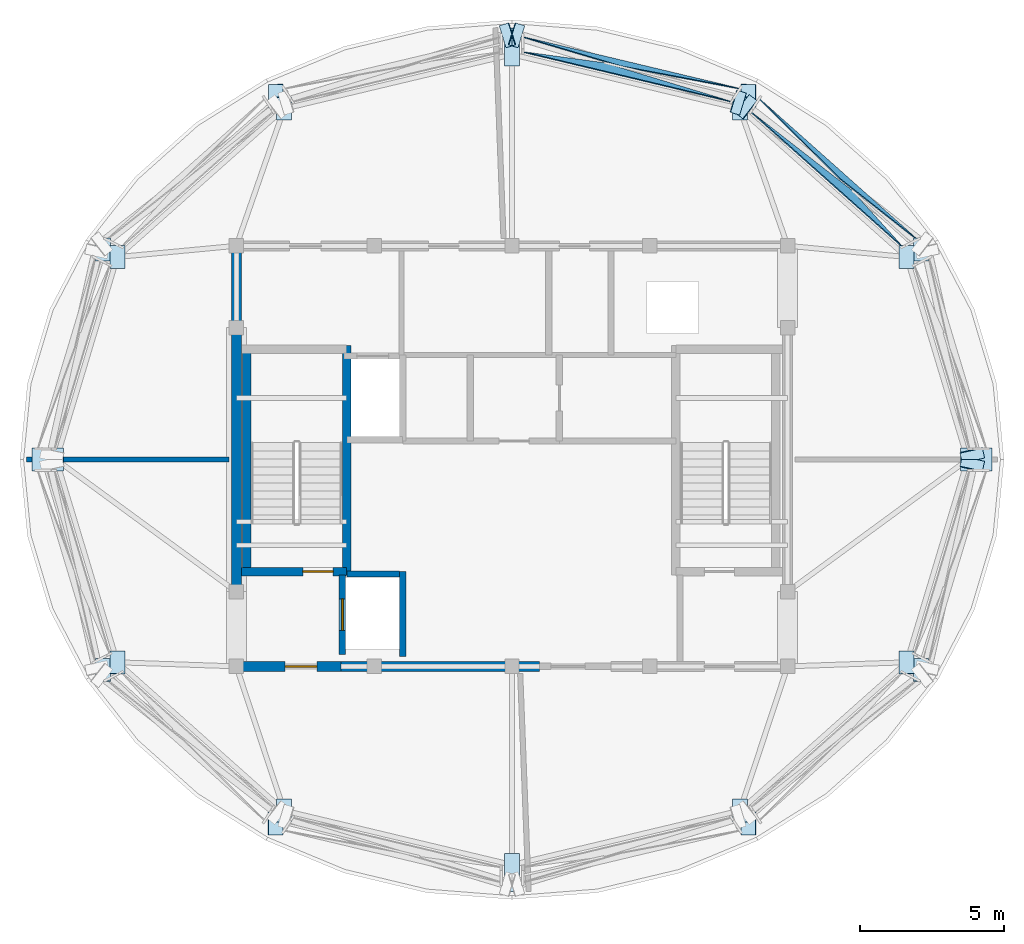
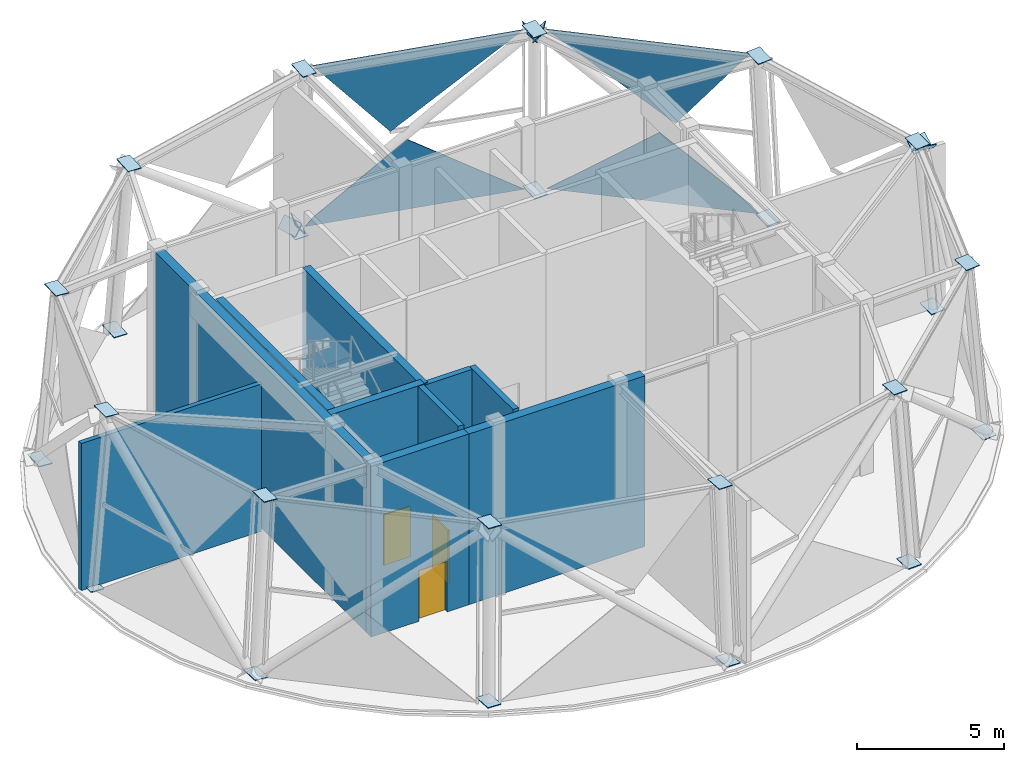
# One storey, part 4 of 9: 34 plates, 10 walls, 3 doors, 3 openings, 2 elements without a shape of their own.
"""IFC4 building model written with IfcOpenShell, lengths in metres."""

from ifc_helpers import new_model, si_unit, direction, frame, frame_2d, origin, place, context, subcontext, project, spatial, polyline, rectangle, outline, extrude, material, layer, layer_set, type_object, element, fill, aggregate, save


model = new_model("IFC4")

# Units and contexts
model_context = context("Model", 3, precision=1e-05, world=origin(), true_north=direction((0.0, 1.0)))
body_context = subcontext(model_context, "Body", "Model", "MODEL_VIEW")
ifc_project = project(units=[si_unit("LENGTHUNIT", "METRE"), si_unit("AREAUNIT", "SQUARE_METRE"), si_unit("VOLUMEUNIT", "CUBIC_METRE"), si_unit("PLANEANGLEUNIT", "RADIAN"), si_unit("MASSUNIT", "GRAM", prefix="KILO")], contexts=[model_context])

# Site, building, storey
site_placement = place(None, origin())
site = spatial("IfcSite", under=ifc_project, at=site_placement, CompositionType="ELEMENT")
building_placement = place(site_placement, origin())
building = spatial("IfcBuilding", under=site, at=building_placement, Name="Vantalir Tower", CompositionType="ELEMENT")
storey_placement = place(building_placement, frame((0.0, 0.0, 311.75)))
storey = spatial("IfcBuildingStorey", under=building, at=storey_placement, Name="L77", CompositionType="ELEMENT", Elevation=311.75)

# Curtain wall, plates
ifc_material_1 = material(Name="Champagne-silver PVDF aluminium and double-silver Low-E glass", Category="aluminium")
ifc_layer_1 = layer(ifc_material_1, 0.25)
ifc_layer_set_1 = layer_set([ifc_layer_1], Name="Champagne-silver PVDF aluminium and double-silver Low-E glass")
curtain_wall_type = type_object("IfcCurtainWallType", Name="CW-CROWN-PT", PredefinedType="USERDEFINED", material=ifc_layer_set_1)
curtain_wall_1_placement = place(storey_placement, origin())
curtain_wall_1 = element("IfcCurtainWall", 1, at=curtain_wall_1_placement, inside=storey, type_object=curtain_wall_type, Name="L77 Quilted Pyramid-Diamond Curtain Wall S02", ObjectType="UNITISED CURTAIN WALL", PredefinedType="USERDEFINED")
ifc_material_2 = material(Name="Faceted crown Low-E glass IGU", Category="glass")
ifc_layer_2 = layer(ifc_material_2, 0.033935546875)
ifc_layer_set_2 = layer_set([ifc_layer_2], Name="Faceted crown Low-E glass IGU")
plate_type_1 = type_object("IfcPlateType", Name="CWP-IGU-CRN-34", PredefinedType="CURTAIN_PANEL", material=ifc_layer_set_2)
plate_1_placement = place(storey_placement, frame((45.619873046875, 32.68359375, 0.0498046875), z_axis=(0.663450955963, 0.744983318847, 0.069517506222), x_axis=(-0.746786903312, 0.665063392896, -6.6872084e-05)))
plate_1 = element("IfcPlate", 2, at=plate_1_placement, type_object=plate_type_1, Name="CW-L77-S02 Pyramid Diamond Facet 1L", PredefinedType="CURTAIN_PANEL", context=body_context, shape_type="SweptSolid", body=[
    extrude(outline(polyline([(0.0, 0.0), (7.352833040974875, 9.269928574751063e-18), (3.4115012203229305, 3.037116756814802), (0.2999169951603921, 0.36784992590931226), (0.0, 0.0)])), origin(), (0.0, 0.0, -1.0), 0.033935546875),
])
plate_2_placement = place(storey_placement, frame((39.835205078125, 37.120361328125, 7.020751953125), z_axis=(0.662652228857, 0.744317276693, 0.082968760428), x_axis=(0.746898185488, -0.664938410508, -0.000103659075)))
plate_2 = element("IfcPlate", 3, at=plate_2_placement, type_object=plate_type_1, Name="CW-L77-S02 Pyramid Diamond Facet 2U", PredefinedType="CURTAIN_PANEL", context=body_context, shape_type="SweptSolid", body=[
    extrude(outline(polyline([(0.0, 0.0), (7.065680239333695, -8.46761896711179e-17), (4.432752204269656, 3.482739899824792), (0.0, 0.0)])), origin(), (0.0, 0.0, -1.0), 0.033935546875),
])
aggregate(curtain_wall_1, [plate_1, plate_2])

curtain_wall_2_placement = place(storey_placement, origin())
curtain_wall_2 = element("IfcCurtainWall", 4, at=curtain_wall_2_placement, inside=storey, type_object=curtain_wall_type, Name="L77 Quilted Pyramid-Diamond Curtain Wall S03", ObjectType="UNITISED CURTAIN WALL", PredefinedType="USERDEFINED")
plate_3_placement = place(storey_placement, frame((39.43359375, 37.9365234375, 0.049072265625), z_axis=(0.231601564441, 0.970572575754, 0.065951425627), x_axis=(-0.972691247436, 0.232102850467, 6.2973711e-05)))
plate_3 = element("IfcPlate", 5, at=plate_3_placement, type_object=plate_type_1, Name="CW-L77-S03 Pyramid Diamond Facet 1L", PredefinedType="CURTAIN_PANEL", context=body_context, shape_type="SweptSolid", body=[
    extrude(outline(polyline([(0.0, 0.0), (7.752231445852116, -1.8214596497756474e-17), (7.4635189955299674, 0.3406035767227069), (4.198168979634575, 3.0407796453364395), (0.0, 0.0)])), origin(), (0.0, 0.0, -1.0), 0.033935546875),
])
plate_4_placement = place(storey_placement, frame((31.893310546875, 39.212646484375, 7.020263671875), z_axis=(0.231408024372, 0.969590749741, 0.079649885581), x_axis=(0.972679835992, -0.232150667368, 6.5542255e-05)))
plate_4 = element("IfcPlate", 6, at=plate_4_placement, type_object=plate_type_1, Name="CW-L77-S03 Pyramid Diamond Facet 2U", PredefinedType="CURTAIN_PANEL", context=body_context, shape_type="SweptSolid", body=[
    extrude(outline(polyline([(0.0, 0.0), (7.449869548532356, -3.74049749507499e-18), (2.827586283544119, 3.4819509622078564), (0.0, 0.0)])), origin(), (0.0, 0.0, -1.0), 0.033935546875),
])
aggregate(curtain_wall_2, [plate_3, plate_4])

# Plates
ifc_material_3 = material(Name="Steel S460", Category="steel")
ifc_layer_3 = layer(ifc_material_3, 0.031982421875)
ifc_layer_set_3 = layer_set([ifc_layer_3], Name="Steel S460")
plate_type_2 = type_object("IfcPlateType", Name="PLT-KN-Z3", PredefinedType="USERDEFINED", material=ifc_layer_set_3)
plate_5_placement = place(storey_placement, frame((47.114990234375, 25.39990234375, 7.072509765625), z_axis=(-0.082656805175, 0.0, 0.996578071482), x_axis=(0.0, -1.0, 0.0)))
element("IfcPlate", 7, at=plate_5_placement, inside=storey, type_object=plate_type_2, Name="L77 Ring Column Top Cap RC01", ObjectType="FLANGE_PLATE", PredefinedType="USERDEFINED", context=body_context, shape_type="SweptSolid", body=[
    extrude(outline(polyline([(0.0, 0.0), (0.7998046875, 0.0), (0.7998046875, 0.5198452796374634), (0.0, 0.5198452796374634), (0.0, 0.0)])), origin(), (0.0, 0.0, -1.0), 0.031982421875),
])
plate_6_placement = place(storey_placement, frame((47.699462890625, 25.39990234375, 0.03125), z_axis=(-0.082618137027, 0.0, 0.996581277887), x_axis=(0.0, -1.0, 0.0)))
element("IfcPlate", 8, at=plate_6_placement, inside=storey, type_object=plate_type_2, Name="L77 Ring Column Base Cap RC01", ObjectType="FLANGE_PLATE", PredefinedType="USERDEFINED", context=body_context, shape_type="SweptSolid", body=[
    extrude(outline(polyline([(0.0, 0.0), (0.7998046875, 0.0), (0.7998046875, 0.5200885852221947), (0.0, 0.5200885852221947), (0.0, 0.0)])), origin(), (0.0, 0.0, -1.0), 0.031982421875),
])
plate_7_placement = place(storey_placement, frame((44.988037109375, 32.45751953125, 7.090087890625), z_axis=(-0.071660426999, -0.036984057449, 0.996743177903), x_axis=(1.1301806e-05, -0.999312353186, -0.037078573906)))
element("IfcPlate", 9, at=plate_7_placement, inside=storey, type_object=plate_type_2, Name="L77 Ring Column Top Cap RC02", ObjectType="FLANGE_PLATE", PredefinedType="USERDEFINED", context=body_context, shape_type="SweptSolid", body=[
    extrude(outline(polyline([(0.0, 0.0), (0.8001060703431415, 0.0), (0.799955831956375, 0.5198822186441832), (8.4681969503071e-05, 0.5199003478847501), (0.0, 0.0)])), origin(), (0.0, 0.0, -1.0), 0.031982421875),
])
plate_8_placement = place(storey_placement, frame((45.493896484375, 32.718505859375, 0.049072265625), z_axis=(-0.071660426999, -0.036984057449, 0.996743177903), x_axis=(-1.0492989e-05, -0.999312295134, -0.037080138679)))
element("IfcPlate", 10, at=plate_8_placement, inside=storey, type_object=plate_type_2, Name="L77 Ring Column Base Cap RC02", ObjectType="FLANGE_PLATE", PredefinedType="USERDEFINED", context=body_context, shape_type="SweptSolid", body=[
    extrude(outline(polyline([(0.0, 0.0), (0.8001151229203625, 0.0), (0.7999444718337254, 0.5198996983323576), (8.237440989943695e-05, 0.5198828665158743), (0.0, 0.0)])), origin(), (0.0, 0.0, -1.0), 0.031982421875),
])
plate_9_placement = place(storey_placement, frame((39.17724609375, 37.623291015625, 7.10888671875), z_axis=(-0.041398492183, -0.064023471105, 0.997089344037), x_axis=(-4.04438e-07, -0.997944866175, -0.064078421286)))
element("IfcPlate", 11, at=plate_9_placement, inside=storey, type_object=plate_type_2, Name="L77 Ring Column Top Cap RC03", ObjectType="FLANGE_PLATE", PredefinedType="USERDEFINED", context=body_context, shape_type="SweptSolid", body=[
    extrude(outline(polyline([(0.0, 0.0), (0.7999844191559541, 0.0), (0.8000693575053728, 0.5199773423787926), (-0.00015870053392472877, 0.5199766946362916), (0.0, 0.0)])), origin(), (0.0, 0.0, -1.0), 0.031982421875),
])
plate_10_placement = place(storey_placement, frame((39.469970703125, 38.075439453125, 0.067626953125), z_axis=(-0.041881250253, -0.064031931003, 0.997068639909), x_axis=(0.0, -0.997944240657, -0.064088162244)))
element("IfcPlate", 12, at=plate_10_placement, inside=storey, type_object=plate_type_2, Name="L77 Ring Column Base Cap RC03", ObjectType="FLANGE_PLATE", PredefinedType="USERDEFINED", context=body_context, shape_type="SweptSolid", body=[
    extrude(outline(polyline([(0.0, 0.0), (0.7999844191941299, 4.336808689942018e-19), (0.8000537109432078, 0.5199874893530553), (6.929174907800489e-05, 0.5199874893530554), (0.0, 0.0)])), origin(), (0.0, 0.0, -1.0), 0.031982421875),
])
plate_11_placement = place(storey_placement, frame((31.239990234375, 39.51318359375, 7.12353515625), z_axis=(0.0, -0.073849204258, 0.99726941948), x_axis=(0.0, -0.99726941948, -0.073849204258)))
element("IfcPlate", 13, at=plate_11_placement, inside=storey, type_object=plate_type_2, Name="L77 Ring Column Top Cap RC04", ObjectType="FLANGE_PLATE", PredefinedType="USERDEFINED", context=body_context, shape_type="SweptSolid", body=[
    extrude(outline(polyline([(0.0, 0.0), (0.8000361255595384, 0.0), (0.8000361255595384, 0.52001953125), (0.0, 0.52001953125), (0.0, 0.0)])), origin(), (0.0, 0.0, -1.0), 0.031982421875),
])
plate_12_placement = place(storey_placement, frame((31.239990234375, 40.034912109375, 0.08251953125), z_axis=(0.0, -0.074152691722, 0.997246899374), x_axis=(0.0, -0.997246899374, -0.074152691722)))
element("IfcPlate", 14, at=plate_12_placement, inside=storey, type_object=plate_type_2, Name="L77 Ring Column Base Cap RC04", ObjectType="FLANGE_PLATE", PredefinedType="USERDEFINED", context=body_context, shape_type="SweptSolid", body=[
    extrude(outline(polyline([(0.0, 0.0), (0.8000541921976495, 0.0), (0.8000541921976495, 0.52001953125), (0.0, 0.52001953125), (0.0, 0.0)])), origin(), (0.0, 0.0, -1.0), 0.031982421875),
])
plate_13_placement = place(storey_placement, frame((23.30322265625, 37.6220703125, 7.13037109375), z_axis=(0.041398492183, -0.064023471105, 0.997089344037), x_axis=(-4.04315e-07, -0.997944868322, -0.064078387845)))
element("IfcPlate", 15, at=plate_13_placement, inside=storey, type_object=plate_type_2, Name="L77 Ring Column Top Cap RC05", ObjectType="FLANGE_PLATE", PredefinedType="USERDEFINED", context=body_context, shape_type="SweptSolid", body=[
    extrude(outline(polyline([(0.0, 0.0), (0.8002280580395598, -4.336808689942018e-19), (0.8001426987958461, 0.519977342309869), (0.00015827964015417174, 0.519976694764581), (0.0, 0.0)])), origin(), (0.0, 0.0, -1.0), 0.031982421875),
])
plate_14_placement = place(storey_placement, frame((23.011474609375, 38.073974609375, 0.089111328125), z_axis=(0.040945744704, -0.064034416075, 0.997107336022), x_axis=(0.0, -0.997944240657, -0.064088162244)))
element("IfcPlate", 16, at=plate_14_placement, inside=storey, type_object=plate_type_2, Name="L77 Ring Column Base Cap RC05", ObjectType="FLANGE_PLATE", PredefinedType="USERDEFINED", context=body_context, shape_type="SweptSolid", body=[
    extrude(outline(polyline([(0.0, 0.0), (0.7999844191941299, -4.336808689942018e-19), (0.7998838343970811, 0.5199673094847194), (-0.00010058479704871687, 0.5199673094847194), (0.0, 0.0)])), origin(), (0.0, 0.0, -1.0), 0.031982421875),
])
plate_15_placement = place(storey_placement, frame((17.493408203125, 32.4560546875, 7.12744140625), z_axis=(0.071660426999, -0.036984057449, 0.996743177903), x_axis=(1.1305125e-05, -0.999312292961, -0.037080196987)))
element("IfcPlate", 17, at=plate_15_placement, inside=storey, type_object=plate_type_2, Name="L77 Ring Column Top Cap RC06", ObjectType="FLANGE_PLATE", PredefinedType="USERDEFINED", context=body_context, shape_type="SweptSolid", body=[
    extrude(outline(polyline([(0.0, 0.0), (0.7998711501923234, 0.0), (0.800033171814146, 0.5198822151054652), (-7.289832348361539e-05, 0.5199003496705445), (0.0, 0.0)])), origin(), (0.0, 0.0, -1.0), 0.031982421875),
])
plate_16_placement = place(storey_placement, frame((16.987548828125, 32.717041015625, 0.086181640625), z_axis=(0.071660426999, -0.036984057449, 0.996743177903), x_axis=(-1.0496308e-05, -0.999312351049, -0.037078631737)))
element("IfcPlate", 18, at=plate_16_placement, inside=storey, type_object=plate_type_2, Name="L77 Ring Column Base Cap RC06", ObjectType="FLANGE_PLATE", PredefinedType="USERDEFINED", context=body_context, shape_type="SweptSolid", body=[
    extrude(outline(polyline([(0.0, 0.0), (0.7998620976009252, -4.336808689942018e-19), (0.8000218082312404, 0.5198997018083241), (-9.331451196657433e-05, 0.5198828646673282), (0.0, 0.0)])), origin(), (0.0, 0.0, -1.0), 0.031982421875),
])
plate_17_placement = place(storey_placement, frame((15.366943359375, 25.39990234375, 7.115478515625), z_axis=(0.082656805175, 0.0, 0.996578071482), x_axis=(0.0, -1.0, 0.0)))
element("IfcPlate", 19, at=plate_17_placement, inside=storey, type_object=plate_type_2, Name="L77 Ring Column Top Cap RC07", ObjectType="FLANGE_PLATE", PredefinedType="USERDEFINED", context=body_context, shape_type="SweptSolid", body=[
    extrude(outline(polyline([(0.0, 0.0), (0.7998046875, 0.0), (0.7998046875, 0.5198452796374634), (0.0, 0.5198452796374634), (0.0, 0.0)])), origin(), (0.0, 0.0, -1.0), 0.031982421875),
])
plate_18_placement = place(storey_placement, frame((14.7822265625, 25.39990234375, 0.07421875), z_axis=(0.082618137027, 0.0, 0.996581277887), x_axis=(0.0, -1.0, 0.0)))
element("IfcPlate", 20, at=plate_18_placement, inside=storey, type_object=plate_type_2, Name="L77 Ring Column Base Cap RC07", ObjectType="FLANGE_PLATE", PredefinedType="USERDEFINED", context=body_context, shape_type="SweptSolid", body=[
    extrude(outline(polyline([(0.0, 0.0), (0.7998046875, 0.0), (0.7998046875, 0.5200885852221947), (0.0, 0.5200885852221947), (0.0, 0.0)])), origin(), (0.0, 0.0, -1.0), 0.031982421875),
])
plate_19_placement = place(storey_placement, frame((17.493408203125, 18.34326171875, 7.09765625), z_axis=(0.071660426999, 0.036984057449, 0.996743177903), x_axis=(-1.1305125e-05, -0.999312292961, 0.037080196987)))
element("IfcPlate", 21, at=plate_19_placement, inside=storey, type_object=plate_type_2, Name="L77 Ring Column Top Cap RC08", ObjectType="FLANGE_PLATE", PredefinedType="USERDEFINED", context=body_context, shape_type="SweptSolid", body=[
    extrude(outline(polyline([(0.0, 0.0), (0.7998711501923234, 0.0), (0.799944048515807, 0.5199003496705447), (-0.00016202162182263726, 0.5198822151054651), (0.0, 0.0)])), origin(), (0.0, 0.0, -1.0), 0.031982421875),
])
plate_20_placement = place(storey_placement, frame((16.987548828125, 18.082275390625, 0.056640625), z_axis=(0.071660426999, 0.036984057449, 0.996743177903), x_axis=(1.0496308e-05, -0.999312351049, 0.037078631737)))
element("IfcPlate", 22, at=plate_20_placement, inside=storey, type_object=plate_type_2, Name="L77 Ring Column Base Cap RC08", ObjectType="FLANGE_PLATE", PredefinedType="USERDEFINED", context=body_context, shape_type="SweptSolid", body=[
    extrude(outline(polyline([(0.0, 0.0), (0.7998620976009252, 4.336808689942018e-19), (0.7999554121128919, 0.5198828646673284), (-0.00015971063031517763, 0.519899701808324), (0.0, 0.0)])), origin(), (0.0, 0.0, -1.0), 0.031982421875),
])
plate_21_placement = place(storey_placement, frame((23.30322265625, 13.176513671875, 7.0791015625), z_axis=(0.041398492183, 0.064023471105, 0.997089344037), x_axis=(4.04315e-07, -0.997944868322, 0.064078387845)))
element("IfcPlate", 23, at=plate_21_placement, inside=storey, type_object=plate_type_2, Name="L77 Ring Column Top Cap RC09", ObjectType="FLANGE_PLATE", PredefinedType="USERDEFINED", context=body_context, shape_type="SweptSolid", body=[
    extrude(outline(polyline([(0.0, 0.0), (0.8002280580395598, 4.336808689942018e-19), (0.8000697783994056, 0.5199766947645809), (8.535924371360715e-05, 0.519977342309869), (0.0, 0.0)])), origin(), (0.0, 0.0, -1.0), 0.031982421875),
])
plate_22_placement = place(storey_placement, frame((23.010498046875, 12.724365234375, 0.0380859375), z_axis=(0.041881250253, 0.064031931003, 0.997068639909), x_axis=(0.0, -0.997944240657, 0.064088162244)))
element("IfcPlate", 24, at=plate_22_placement, inside=storey, type_object=plate_type_2, Name="L77 Ring Column Base Cap RC09", ObjectType="FLANGE_PLATE", PredefinedType="USERDEFINED", context=body_context, shape_type="SweptSolid", body=[
    extrude(outline(polyline([(0.0, 0.0), (0.7999844191941299, 4.336808689942018e-19), (0.8000537109432078, 0.5199874893530553), (6.929174907800489e-05, 0.5199874893530554), (0.0, 0.0)])), origin(), (0.0, 0.0, -1.0), 0.031982421875),
])
plate_23_placement = place(storey_placement, frame((31.239990234375, 11.28466796875, 7.064453125), z_axis=(0.0, 0.073849204258, 0.99726941948), x_axis=(0.0, -0.99726941948, 0.073849204258)))
element("IfcPlate", 25, at=plate_23_placement, inside=storey, type_object=plate_type_2, Name="L77 Ring Column Top Cap RC10", ObjectType="FLANGE_PLATE", PredefinedType="USERDEFINED", context=body_context, shape_type="SweptSolid", body=[
    extrude(outline(polyline([(0.0, 0.0), (0.8000361255595384, 0.0), (0.8000361255595384, 0.52001953125), (0.0, 0.52001953125), (0.0, 0.0)])), origin(), (0.0, 0.0, -1.0), 0.031982421875),
])
plate_24_placement = place(storey_placement, frame((31.239990234375, 10.762939453125, 0.023193359375), z_axis=(0.0, 0.074152691722, 0.997246899374), x_axis=(0.0, -0.997246899374, 0.074152691722)))
element("IfcPlate", 26, at=plate_24_placement, inside=storey, type_object=plate_type_2, Name="L77 Ring Column Base Cap RC10", ObjectType="FLANGE_PLATE", PredefinedType="USERDEFINED", context=body_context, shape_type="SweptSolid", body=[
    extrude(outline(polyline([(0.0, 0.0), (0.8000541921976495, 0.0), (0.8000541921976495, 0.52001953125), (0.0, 0.52001953125), (0.0, 0.0)])), origin(), (0.0, 0.0, -1.0), 0.031982421875),
])
plate_25_placement = place(storey_placement, frame((39.17724609375, 13.175048828125, 7.0576171875), z_axis=(-0.041398492183, 0.064023471105, 0.997089344037), x_axis=(4.04438e-07, -0.997944866175, 0.064078421286)))
element("IfcPlate", 27, at=plate_25_placement, inside=storey, type_object=plate_type_2, Name="L77 Ring Column Top Cap RC11", ObjectType="FLANGE_PLATE", PredefinedType="USERDEFINED", context=body_context, shape_type="SweptSolid", body=[
    extrude(outline(polyline([(0.0, 0.0), (0.7999844191559541, 0.0), (0.8001431196898788, 0.5199766946362916), (-8.493834941881648e-05, 0.5199773423787925), (0.0, 0.0)])), origin(), (0.0, 0.0, -1.0), 0.031982421875),
])
plate_26_placement = place(storey_placement, frame((39.469970703125, 12.722900390625, 0.016357421875), z_axis=(-0.041881250253, 0.064031931003, 0.997068639909), x_axis=(0.0, -0.997944240657, 0.064088162244)))
element("IfcPlate", 28, at=plate_26_placement, inside=storey, type_object=plate_type_2, Name="L77 Ring Column Base Cap RC11", ObjectType="FLANGE_PLATE", PredefinedType="USERDEFINED", context=body_context, shape_type="SweptSolid", body=[
    extrude(outline(polyline([(0.0, 0.0), (0.7999844191941299, -4.336808689942018e-19), (0.7999151274450518, 0.5199874893530553), (-6.929174907800489e-05, 0.5199874893530554), (0.0, 0.0)])), origin(), (0.0, 0.0, -1.0), 0.031982421875),
])
plate_27_placement = place(storey_placement, frame((44.988037109375, 18.342041015625, 7.060546875), z_axis=(-0.071660426999, 0.036984057449, 0.996743177903), x_axis=(-1.1301806e-05, -0.999312353186, 0.037078573906)))
element("IfcPlate", 29, at=plate_27_placement, inside=storey, type_object=plate_type_2, Name="L77 Ring Column Top Cap RC12", ObjectType="FLANGE_PLATE", PredefinedType="USERDEFINED", context=body_context, shape_type="SweptSolid", body=[
    extrude(outline(polyline([(0.0, 0.0), (0.8001060703431415, 0.0), (0.8000213883736383, 0.51990034788475), (0.00015023838676640755, 0.5198822186441832), (0.0, 0.0)])), origin(), (0.0, 0.0, -1.0), 0.031982421875),
])
plate_28_placement = place(storey_placement, frame((45.493896484375, 18.0810546875, 0.019287109375), z_axis=(-0.071660426999, 0.036984057449, 0.996743177903), x_axis=(1.0492989e-05, -0.999312295134, 0.037080138679)))
element("IfcPlate", 30, at=plate_28_placement, inside=storey, type_object=plate_type_2, Name="L77 Ring Column Base Cap RC12", ObjectType="FLANGE_PLATE", PredefinedType="USERDEFINED", context=body_context, shape_type="SweptSolid", body=[
    extrude(outline(polyline([(0.0, 0.0), (0.8001151229203625, 0.0), (0.800032748510463, 0.5198828665158743), (0.0001706510866369517, 0.5198996983323575), (0.0, 0.0)])), origin(), (0.0, 0.0, -1.0), 0.031982421875),
])
plate_29_placement = place(storey_placement, frame((39.76318359375, 37.716796875, 6.6650390625), z_axis=(-0.600158719192, 0.467267260388, 0.649207839715), x_axis=(-0.614300233876, -0.789072379771, 4.6283455e-05)))
element("IfcPlate", 31, at=plate_29_placement, inside=storey, type_object=plate_type_2, Name="Node Cap Plate MEM-DG-L77-R04L End", ObjectType="FLANGE_PLATE", PredefinedType="USERDEFINED", context=body_context, shape_type="SweptSolid", body=[
    extrude(outline(polyline([(0.0, 0.0), (0.8000799670118719, -5.551115123125783e-17), (0.8000301316760322, 0.5199382537937726), (0.0001428092881279382, 0.5200356123754015), (0.0, 0.0)])), origin(), (0.0, 0.0, -1.0), 0.031982421875),
])
plate_30_placement = place(storey_placement, frame((47.181884765625, 24.884033203125, 6.665771484375), z_axis=(0.160181474395, -0.722227676658, 0.672851453391), x_axis=(0.976262128261, 0.216592362342, 7.4149406e-05)))
element("IfcPlate", 32, at=plate_30_placement, inside=storey, type_object=plate_type_2, Name="Node Cap Plate MEM-DG-L77-R04R End", ObjectType="FLANGE_PLATE", PredefinedType="USERDEFINED", context=body_context, shape_type="SweptSolid", body=[
    extrude(outline(polyline([(0.0, 0.0), (0.8000105287036665, -2.7755575615628914e-17), (0.8001297461400069, 0.5200296538834696), (0.00017209643105269544, 0.5201900219290091), (0.0, 0.0)])), origin(), (0.0, 0.0, -1.0), 0.031982421875),
])
plate_31_placement = place(storey_placement, frame((31.05712890625, 40.113525390625, 0.024169921875), z_axis=(-0.738683729323, -0.224550428722, 0.635549725037), x_axis=(0.290845849955, -0.956769926139, 0.0)))
element("IfcPlate", 33, at=plate_31_placement, inside=storey, type_object=plate_type_2, Name="Node Cap Plate MEM-DG-L77-R10L Start", ObjectType="FLANGE_PLATE", PredefinedType="USERDEFINED", context=body_context, shape_type="SweptSolid", body=[
    extrude(outline(polyline([(0.0, 0.0), (0.79996333336249, 0.0), (0.8001183125421127, 0.5198653213751403), (0.00015497917962277452, 0.5198653213751402), (0.0, 0.0)])), origin(), (0.0, 0.0, -1.0), 0.031982421875),
])
plate_32_placement = place(storey_placement, frame((31.710205078125, 39.34814453125, 0.024169921875), z_axis=(0.738683729323, -0.224550428722, 0.635549725037), x_axis=(0.290845849955, 0.956769926139, 0.0)))
element("IfcPlate", 34, at=plate_32_placement, inside=storey, type_object=plate_type_2, Name="Node Cap Plate MEM-DG-L77-R10R Start", ObjectType="FLANGE_PLATE", PredefinedType="USERDEFINED", context=body_context, shape_type="SweptSolid", body=[
    extrude(outline(polyline([(0.0, 0.0), (0.79996333336249, 0.0), (0.7998083541828673, 0.5198653213751402), (-0.00015497917962277452, 0.5198653213751402), (0.0, 0.0)])), origin(), (0.0, 0.0, -1.0), 0.031982421875),
])
plate_33_placement = place(storey_placement, frame((39.429931640625, 37.002197265625, 6.664794921875), z_axis=(0.738619606851, -0.224530936309, 0.635631131251), x_axis=(0.290845849955, 0.956769926139, 0.0)))
element("IfcPlate", 35, at=plate_33_placement, inside=storey, type_object=plate_type_2, Name="Node Cap Plate MEM-DG-L77-R10R End", ObjectType="FLANGE_PLATE", PredefinedType="USERDEFINED", context=body_context, shape_type="SweptSolid", body=[
    extrude(outline(polyline([(0.0, 0.0), (0.79996333336249, 2.7755575615628914e-17), (0.8000419405906161, 0.5199104529275843), (7.860722812594992e-05, 0.5199104529275843), (0.0, 0.0)])), origin(), (0.0, 0.0, -1.0), 0.031982421875),
])
plate_34_placement = place(storey_placement, frame((47.962890625, 24.942626953125, 6.665771484375), z_axis=(0.160181474395, 0.722227676658, 0.672851453391), x_axis=(-0.976262128261, 0.216592362342, -7.4149406e-05)))
element("IfcPlate", 36, at=plate_34_placement, inside=storey, type_object=plate_type_2, Name="Node Cap Plate MEM-DG-L77-R34L End", ObjectType="FLANGE_PLATE", PredefinedType="USERDEFINED", context=body_context, shape_type="SweptSolid", body=[
    extrude(outline(polyline([(0.0, 0.0), (0.8000105287036665, 2.7755575615628914e-17), (0.7998384322726139, 0.5201900219290092), (-0.00011921743634029344, 0.5200296538834696), (0.0, 0.0)])), origin(), (0.0, 0.0, -1.0), 0.031982421875),
])

# Wall, opening, door
ifc_material_4 = material(Name="Concrete C50/60", Category="concrete")
ifc_layer_4 = layer(ifc_material_4, 0.35009765625)
ifc_layer_set_4 = layer_set([ifc_layer_4], Name="Concrete C50/60")
wall_type_1 = type_object("IfcWallType", Name="WL-CORE-350", PredefinedType="SHEAR", material=ifc_layer_set_4)
wall_1_placement = place(storey_placement, frame((21.72509765625, 17.800048828125, 0.0), z_axis=(0.0, 0.0, 1.0), x_axis=(1.0, 0.0, 0.0)))
wall_1 = element("IfcWall", 37, at=wall_1_placement, inside=storey, type_object=wall_type_1, Name="L77 Core Shear Wall South-West", PredefinedType="SHEAR", context=body_context, shape_type="SweptSolid", body=[
    extrude(rectangle(XDim=3.824951171875, YDim=0.35009765625, at=frame_2d((1.91259765625, 0.0))), origin(), (0.0, 0.0, 1.0), 7.070068359375),
])
opening_1_placement = place(wall_1_placement, frame((1.875, 0.0, 0.0)))
opening_1 = element("IfcOpeningElement", 38, at=opening_1_placement, cuts=wall_1, Name="Opening D-FFL", PredefinedType="OPENING", context=body_context, shape_type="SweptSolid", body=[
    extrude(rectangle(XDim=1.10009765625, YDim=2.10009765625, at=frame_2d((0.550048828125, 1.050048828125))), frame((0.0, 0.18505859375, 0.0), z_axis=(0.0, -1.0, 0.0), x_axis=(1.0, 0.0, 0.0)), (0.0, 0.0, 1.0), 0.3701171875),
])
ifc_material_5 = material(Name="Fire-rated acoustic steel door", Category="steel")
door_type_1 = type_object("IfcDoorType", Name="DR-FIRE-LOBBY-1100", OperationType="NOTDEFINED", PredefinedType="DOOR", material=ifc_material_5)
door_1_placement = place(opening_1_placement, origin())
door_1 = element("IfcDoor", 39, at=door_1_placement, inside=storey, type_object=door_type_1, Name="L77 Firefighting Lobby West Access Door", OperationType="SINGLE_SWING_RIGHT", OverallHeight=2.10009765625, OverallWidth=1.10009765625, PredefinedType="DOOR", context=body_context, shape_type="SweptSolid", body=[
    extrude(rectangle(XDim=1.10009765625, YDim=2.10009765625, at=frame_2d((0.550048828125, 1.050048828125))), frame((0.0, 0.02490234375, 0.0), z_axis=(0.0, -1.0, 0.0), x_axis=(1.0, 0.0, 0.0)), (0.0, 0.0, 1.0), 0.050048828125),
])
fill(opening_1, door_1)

# Walls
wall_2_placement = place(storey_placement, frame((25.550048828125, 17.800048828125, 0.0), z_axis=(0.0, 0.0, 1.0), x_axis=(1.0, 0.0, 0.0)))
element("IfcWall", 40, at=wall_2_placement, inside=storey, type_object=wall_type_1, Name="L77 Core Shear Wall South-Mid", PredefinedType="SHEAR", context=body_context, shape_type="SweptSolid", body=[
    extrude(rectangle(XDim=6.89990234375, YDim=0.35009765625, at=frame_2d((3.449951171875, 0.0))), origin(), (0.0, 0.0, 1.0), 7.070068359375),
])
wall_3_placement = place(storey_placement, frame((21.89990234375, 17.97509765625, 0.0), z_axis=(0.0, 0.0, 1.0), x_axis=(0.0, 1.0, 0.0)))
element("IfcWall", 41, at=wall_3_placement, inside=storey, type_object=wall_type_1, Name="L77 Core Shear Wall West", PredefinedType="SHEAR", context=body_context, shape_type="SweptSolid", body=[
    extrude(rectangle(XDim=14.2998046875, YDim=0.35009765625, at=frame_2d((7.14990234375, 0.0))), origin(), (0.0, 0.0, 1.0), 7.070068359375),
])
ifc_material_6 = material(Name="Concrete blockwork with fireboard lining", Category="masonry")
ifc_layer_5 = layer(ifc_material_6, 0.219970703125)
ifc_layer_set_5 = layer_set([ifc_layer_5], Name="Concrete blockwork with fireboard lining")
wall_type_2 = type_object("IfcWallType", Name="WL-FFL-220", PredefinedType="PARTITIONING", material=ifc_layer_set_5)
wall_4_placement = place(storey_placement, frame((25.75, 21.02001953125, 0.0), z_axis=(0.0, 0.0, 1.0), x_axis=(1.0, 0.0, 0.0)))
element("IfcWall", 42, at=wall_4_placement, inside=storey, type_object=wall_type_2, Name="L77 Fire Lift FL1 Crown North Shaft Wall", PredefinedType="PARTITIONING", context=body_context, shape_type="SweptSolid", body=[
    extrude(rectangle(XDim=1.830078125, YDim=0.219970703125, at=frame_2d((0.9150390625, 0.0))), origin(), (0.0, 0.0, 1.0), 7.044921875),
])

# Wall, opening, door
wall_5_placement = place(storey_placement, frame((25.590087890625, 18.219970703125, 0.0), z_axis=(0.0, 0.0, 1.0), x_axis=(0.0, 1.0, 0.0)))
wall_5 = element("IfcWall", 43, at=wall_5_placement, inside=storey, type_object=wall_type_2, Name="L77 Lift FL1 Shaft Front Wall", PredefinedType="PARTITIONING", context=body_context, shape_type="SweptSolid", body=[
    extrude(rectangle(XDim=2.760009765625, YDim=0.219970703125, at=frame_2d((1.3798828125, 0.0))), origin(), (0.0, 0.0, 1.0), 7.050048828125),
])
opening_2_placement = place(wall_5_placement, frame((0.830078125, 0.0, 0.0)))
opening_2 = element("IfcOpeningElement", 44, at=opening_2_placement, cuts=wall_5, Name="Opening LD-FL1", PredefinedType="OPENING", context=body_context, shape_type="SweptSolid", body=[
    extrude(rectangle(XDim=1.10009765625, YDim=2.199951171875, at=frame_2d((0.550048828125, 1.10009765625))), frame((0.0, 0.119873046875, 0.0), z_axis=(0.0, -1.0, 0.0), x_axis=(1.0, 0.0, 0.0)), (0.0, 0.0, 1.0), 0.239990234375),
])
ifc_material_7 = material(Name="Brushed stainless-steel sliding lift landing door", Category="steel")
door_type_2 = type_object("IfcDoorType", Name="DR-LIFT-LANDING-1100", OperationType="DOUBLE_DOOR_SLIDING", PredefinedType="DOOR", material=ifc_material_7)
door_2_placement = place(opening_2_placement, origin())
door_2 = element("IfcDoor", 45, at=door_2_placement, inside=storey, type_object=door_type_2, Name="L77 Lift Landing Door FL1", OperationType="DOUBLE_DOOR_SLIDING", OverallHeight=2.199951171875, OverallWidth=1.10009765625, PredefinedType="DOOR", context=body_context, shape_type="SweptSolid", body=[
    extrude(rectangle(XDim=1.10009765625, YDim=2.199951171875, at=frame_2d((0.550048828125, 1.10009765625))), frame((0.0, 0.02490234375, 0.0), z_axis=(0.0, -1.0, 0.0), x_axis=(1.0, 0.0, 0.0)), (0.0, 0.0, 1.0), 0.050048828125),
])
fill(opening_2, door_2)

# Walls
wall_6_placement = place(storey_placement, frame((27.699951171875, 18.14990234375, 0.0), z_axis=(0.0, 0.0, 1.0), x_axis=(0.0, 1.0, 0.0)))
element("IfcWall", 46, at=wall_6_placement, inside=storey, type_object=wall_type_2, Name="L77 Fire Lift FL1 Dividing Wall", PredefinedType="PARTITIONING", context=body_context, shape_type="SweptSolid", body=[
    extrude(rectangle(XDim=2.9501953125, YDim=0.219970703125, at=frame_2d((1.47509765625, 0.0))), origin(), (0.0, 0.0, 1.0), 7.050048828125),
])
ifc_material_8 = material(Name="Twin-stud acoustic fire-rated gypsum partition", Category="gypsum")
ifc_layer_6 = layer(ifc_material_8, 0.179931640625)
ifc_layer_set_6 = layer_set([ifc_layer_6], Name="Twin-stud acoustic fire-rated gypsum partition")
wall_type_3 = type_object("IfcWallType", Name="WL-GUEST-180", PredefinedType="PARTITIONING", material=ifc_layer_set_6)
wall_7_placement = place(storey_placement, frame((21.64990234375, 25.0, 0.0), z_axis=(0.0, 0.0, 1.0), x_axis=(-1.0, 0.0, 0.0)))
element("IfcWall", 47, at=wall_7_placement, inside=storey, type_object=wall_type_3, Name="L77 Radial Suite Partition 03", PredefinedType="PARTITIONING", context=body_context, shape_type="SweptSolid", body=[
    extrude(rectangle(XDim=7.06201171875, YDim=0.179931640625, at=frame_2d((3.531005859375, 0.0))), origin(), (0.0, 0.0, 1.0), 6.094970703125),
])

# Wall, opening, door
ifc_layer_7 = layer(ifc_material_4, 0.300048828125)
ifc_layer_set_7 = layer_set([ifc_layer_7], Name="Concrete C50/60")
wall_type_4 = type_object("IfcWallType", Name="WL-STAIR-300", PredefinedType="SHEAR", material=ifc_layer_set_7)
wall_8_placement = place(storey_placement, frame((22.074951171875, 21.10009765625, 0.0), z_axis=(0.0, 0.0, 1.0), x_axis=(1.0, 0.0, 0.0)))
wall_8 = element("IfcWall", 48, at=wall_8_placement, inside=storey, type_object=wall_type_4, Name="L77 Stair ST1 South Wall", PredefinedType="SHEAR", context=body_context, shape_type="SweptSolid", body=[
    extrude(rectangle(XDim=3.6650390625, YDim=0.300048828125, at=frame_2d((1.83251953125, 0.0))), origin(), (0.0, 0.0, 1.0), 7.070068359375),
])
opening_3_placement = place(wall_8_placement, frame((2.14501953125, 0.0, 0.0)))
opening_3 = element("IfcOpeningElement", 49, at=opening_3_placement, cuts=wall_8, Name="Opening D-ST", PredefinedType="OPENING", context=body_context, shape_type="SweptSolid", body=[
    extrude(rectangle(XDim=1.050048828125, YDim=2.10009765625, at=frame_2d((0.52490234375, 1.050048828125))), frame((0.0, 0.159912109375, 0.0), z_axis=(0.0, -1.0, 0.0), x_axis=(1.0, 0.0, 0.0)), (0.0, 0.0, 1.0), 0.320068359375),
])
ifc_material_9 = material(Name="Fire-rated steel door leaf", Category="steel")
door_type_3 = type_object("IfcDoorType", Name="DR-FIRE-STAIR-1050", OperationType="NOTDEFINED", PredefinedType="DOOR", material=ifc_material_9)
door_3_placement = place(opening_3_placement, origin())
door_3 = element("IfcDoor", 50, at=door_3_placement, inside=storey, type_object=door_type_3, Name="L77 Exit Stair ST1 Fire Door", OperationType="SINGLE_SWING_RIGHT", OverallHeight=2.10009765625, OverallWidth=1.050048828125, PredefinedType="DOOR", context=body_context, shape_type="SweptSolid", body=[
    extrude(rectangle(XDim=1.050048828125, YDim=2.10009765625, at=frame_2d((0.52490234375, 1.050048828125))), frame((0.0, 0.02490234375, 0.0), z_axis=(0.0, -1.0, 0.0), x_axis=(1.0, 0.0, 0.0)), (0.0, 0.0, 1.0), 0.050048828125),
])
fill(opening_3, door_3)

# Walls
wall_9_placement = place(storey_placement, frame((25.739990234375, 20.97998046875, 0.0), z_axis=(0.0, 0.0, 1.0), x_axis=(0.0, 1.0, 0.0)))
element("IfcWall", 51, at=wall_9_placement, inside=storey, type_object=wall_type_4, Name="L77 Stair ST1 East Wall", PredefinedType="SHEAR", context=body_context, shape_type="SweptSolid", body=[
    extrude(rectangle(XDim=7.989990234375, YDim=0.300048828125, at=frame_2d((3.9951171875, 0.0))), origin(), (0.0, 0.0, 1.0), 7.070068359375),
])
wall_10_placement = place(storey_placement, frame((22.260009765625, 21.10009765625, 0.0), z_axis=(0.0, 0.0, 1.0), x_axis=(0.0, 1.0, 0.0)))
element("IfcWall", 52, at=wall_10_placement, inside=storey, type_object=wall_type_4, Name="L77 Stair ST1 West Liner Wall", PredefinedType="SHEAR", context=body_context, shape_type="SweptSolid", body=[
    extrude(rectangle(XDim=7.75, YDim=0.300048828125, at=frame_2d((3.875, 0.0))), origin(), (0.0, 0.0, 1.0), 7.070068359375),
])

save(model, "model.ifc")
